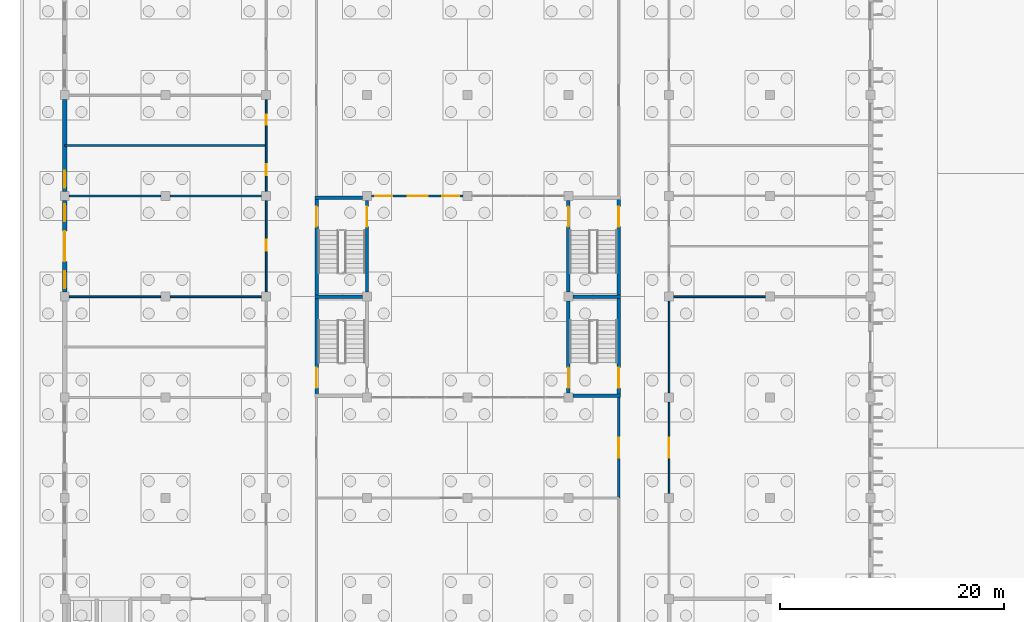
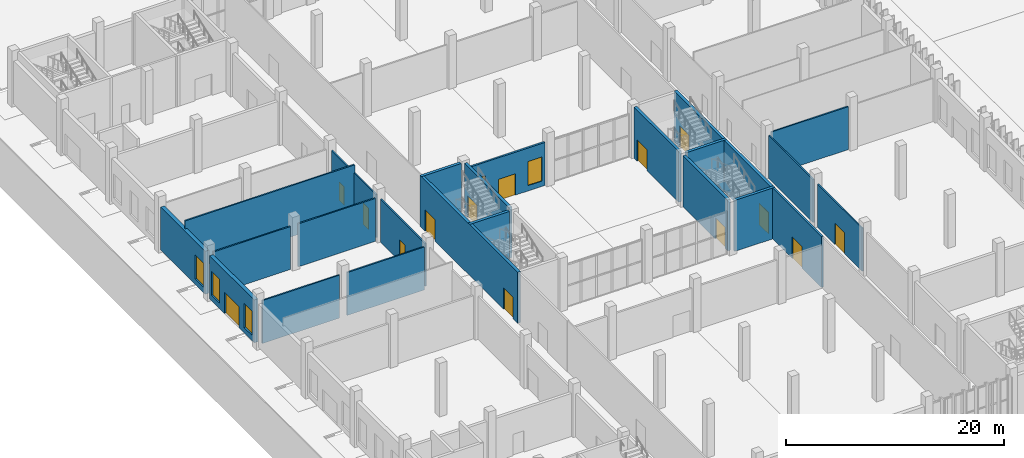
# One storey, part 79 of 198: 23 walls, 14 doors, 5 windows, 19 openings.
"""IFC4 building model written with IfcOpenShell, lengths in metres."""

from ifc_helpers import new_model, si_unit, direction, frame, frame_2d, origin, place, context, subcontext, project, spatial, rectangle, extrude, material, layer, layer_set, type_object, element, fill, save


model = new_model("IFC4")

# Units and contexts
model_context = context("Model", 3, precision=1e-05, world=origin(), true_north=direction((0.0, 1.0)))
body_context = subcontext(model_context, "Body", "Model", "MODEL_VIEW")
ifc_project = project(units=[si_unit("LENGTHUNIT", "METRE"), si_unit("AREAUNIT", "SQUARE_METRE"), si_unit("VOLUMEUNIT", "CUBIC_METRE"), si_unit("PLANEANGLEUNIT", "RADIAN"), si_unit("MASSUNIT", "GRAM", prefix="KILO")], contexts=[model_context])

# Site, building, storey
site_placement = place(None, origin())
site = spatial("IfcSite", under=ifc_project, at=site_placement, CompositionType="ELEMENT")
building_placement = place(site_placement, origin())
building = spatial("IfcBuilding", under=site, at=building_placement, Name="Opaline Strait Convention Centre", CompositionType="ELEMENT")
storey_placement = place(building_placement, origin())
storey = spatial("IfcBuildingStorey", under=building, at=storey_placement, Name="L00", CompositionType="ELEMENT", Elevation=0.0)

# Wall, opening, door
ifc_material_1 = material(Name="Gypsum board on metal studs with mineral wool")
ifc_layer_1 = layer(ifc_material_1, 0.199951171875)
ifc_layer_set_1 = layer_set([ifc_layer_1], Name="Gypsum board on metal studs with mineral wool")
wall_type_1 = type_object("IfcWallType", Name="Fire partition 200", PredefinedType="PARTITIONING", material=ifc_layer_set_1)
wall_1_placement = place(storey_placement, frame((58.5, 36.0, 0.0), z_axis=(0.0, 0.0, 1.0), x_axis=(0.0, 1.0, 0.0)))
wall_1 = element("IfcWall", 1, at=wall_1_placement, inside=storey, type_object=wall_type_1, Name="L00 partition", PredefinedType="PARTITIONING", context=body_context, shape_type="SweptSolid", body=[
    extrude(rectangle(XDim=9.0, YDim=0.199951171875, at=frame_2d((4.5, 0.0))), origin(), (0.0, 0.0, 1.0), 5.719970703125),
])
opening_1_placement = place(wall_1_placement, frame((3.60009765625, 0.0, 0.0)))
opening_1 = element("IfcOpeningElement", 2, at=opening_1_placement, cuts=wall_1, Name="Opening R0-034", PredefinedType="OPENING", context=body_context, shape_type="SweptSolid", body=[
    extrude(rectangle(XDim=1.800048828125, YDim=2.39990234375, at=frame_2d((0.89990234375, 1.199951171875))), frame((0.0, 0.10986328125, 0.0), z_axis=(0.0, -1.0, 0.0), x_axis=(1.0, 0.0, 0.0)), (0.0, 0.0, 1.0), 0.219970703125),
])
ifc_material_2 = material(Name="Stainless steel 304 door leaves", Category="steel")
door_type_1 = type_object("IfcDoorType", Name="Kitchen door 1800x2400 double FD90", OperationType="DOUBLE_DOOR_SINGLE_SWING", PredefinedType="DOOR", material=ifc_material_2)
door_1_placement = place(opening_1_placement, frame((1.800048828125, 0.0, 0.0), z_axis=(0.0, 0.0, 1.0), x_axis=(-1.0, 0.0, 0.0)))
door_1 = element("IfcDoor", 3, at=door_1_placement, inside=storey, type_object=door_type_1, Name="Open Kitchen door R0-034", ObjectType="RD4", OperationType="DOUBLE_DOOR_SINGLE_SWING", OverallHeight=2.39990234375, OverallWidth=1.800048828125, PredefinedType="DOOR", context=body_context, shape_type="SweptSolid", body=[
    extrude(rectangle(XDim=1.800048828125, YDim=2.39990234375, at=frame_2d((0.89990234375, 1.199951171875))), frame((0.0, 0.02490234375, 0.0), z_axis=(0.0, -1.0, 0.0), x_axis=(1.0, 0.0, 0.0)), (0.0, 0.0, 1.0), 0.050048828125),
])
fill(opening_1, door_1)

# Walls
ifc_layer_2 = layer(ifc_material_1, 0.14990234375)
ifc_layer_set_2 = layer_set([ifc_layer_2], Name="Gypsum board on metal studs with mineral wool")
wall_type_2 = type_object("IfcWallType", Name="Partition 150", PredefinedType="PARTITIONING", material=ifc_layer_set_2)
for number, where, z_axis, x_axis, name in (
    (4, (9.39990234375, 54.0, 0.0), (0.0, 0.0, 1.0), (1.0, 0.0, 0.0), "L00 partition"),
    (5, (18.39990234375, 54.0, 0.0), (0.0, 0.0, 1.0), (1.0, 0.0, 0.0), "L00 partition"),
    (6, (63.39990234375, 54.0, 0.0), (0.0, 0.0, 1.0), (1.0, 0.0, 0.0), "L00 partition"),
    (7, (9.39990234375, 63.0, 0.0), (0.0, 0.0, 1.0), (1.0, 0.0, 0.0), "L00 partition"),
    (8, (18.39990234375, 63.0, 0.0), (0.0, 0.0, 1.0), (1.0, 0.0, 0.0), "L00 partition"),
):
    element("IfcWall", number, at=place(storey_placement, frame(where, z_axis=z_axis, x_axis=x_axis)), inside=storey, type_object=wall_type_2, Name=name, PredefinedType="PARTITIONING", context=body_context, shape_type="SweptSolid", body=[
        extrude(rectangle(XDim=8.2001953125, YDim=0.14990234375, at=frame_2d((4.10009765625, 0.0))), origin(), (0.0, 0.0, 1.0), 4.820068359375),
    ])
wall_2_placement = place(storey_placement, frame((9.0, 67.5, 0.0), z_axis=(0.0, 0.0, 1.0), x_axis=(1.0, 0.0, 0.0)))
element("IfcWall", 9, at=wall_2_placement, inside=storey, type_object=wall_type_2, Name="L00 partition", PredefinedType="PARTITIONING", context=body_context, shape_type="SweptSolid", body=[
    extrude(rectangle(XDim=18.0, YDim=0.14990234375, at=frame_2d((9.0, 0.0))), origin(), (0.0, 0.0, 1.0), 5.719970703125),
])

# Wall, opening, door
wall_3_placement = place(storey_placement, frame((27.0, 54.39990234375, 0.0), z_axis=(0.0, 0.0, 1.0), x_axis=(0.0, 1.0, 0.0)))
wall_3 = element("IfcWall", 10, at=wall_3_placement, inside=storey, type_object=wall_type_2, Name="L00 partition", PredefinedType="PARTITIONING", context=body_context, shape_type="SweptSolid", body=[
    extrude(rectangle(XDim=8.2001953125, YDim=0.14990234375, at=frame_2d((4.10009765625, 0.0))), origin(), (0.0, 0.0, 1.0), 4.820068359375),
])
opening_2_placement = place(wall_3_placement, frame((3.699951171875, 0.0, 0.0)))
opening_2 = element("IfcOpeningElement", 11, at=opening_2_placement, cuts=wall_3, Name="Opening R0-044", PredefinedType="OPENING", context=body_context, shape_type="SweptSolid", body=[
    extrude(rectangle(XDim=1.0, YDim=2.39990234375, at=frame_2d((0.5, 1.199951171875))), frame((0.0, 0.0849609375, 0.0), z_axis=(0.0, -1.0, 0.0), x_axis=(1.0, 0.0, 0.0)), (0.0, 0.0, 1.0), 0.169921875),
])
ifc_material_3 = material(Name="Timber door leaf in steel frame", Category="steel")
door_type_2 = type_object("IfcDoorType", Name="Door 1000x2400 single FD30", OperationType="SINGLE_SWING_LEFT", PredefinedType="DOOR", material=ifc_material_3)
door_2_placement = place(opening_2_placement, frame((1.0, 0.0, 0.0), z_axis=(0.0, 0.0, 1.0), x_axis=(-1.0, 0.0, 0.0)))
door_2 = element("IfcDoor", 12, at=door_2_placement, inside=storey, type_object=door_type_2, Name="Staff Room door R0-044", ObjectType="RD1", OperationType="SINGLE_SWING_LEFT", OverallHeight=2.39990234375, OverallWidth=1.0, PredefinedType="DOOR", context=body_context, shape_type="SweptSolid", body=[
    extrude(rectangle(XDim=1.0, YDim=2.39990234375, at=frame_2d((0.5, 1.199951171875))), frame((0.0, 0.02490234375, 0.0), z_axis=(0.0, -1.0, 0.0), x_axis=(1.0, 0.0, 0.0)), (0.0, 0.0, 1.0), 0.050048828125),
])
fill(opening_2, door_2)

# Wall, openings, doors
wall_4_placement = place(storey_placement, frame((27.0, 63.39990234375, 0.0), z_axis=(0.0, 0.0, 1.0), x_axis=(0.0, 1.0, 0.0)))
wall_4 = element("IfcWall", 13, at=wall_4_placement, inside=storey, type_object=wall_type_2, Name="L00 partition", PredefinedType="PARTITIONING", context=body_context, shape_type="SweptSolid", body=[
    extrude(rectangle(XDim=8.2001953125, YDim=0.14990234375, at=frame_2d((4.10009765625, 0.0))), origin(), (0.0, 0.0, 1.0), 4.820068359375),
])
opening_3_placement = place(wall_4_placement, frame((1.449951171875, 0.0, 0.0)))
opening_3 = element("IfcOpeningElement", 14, at=opening_3_placement, cuts=wall_4, Name="Opening R0-045", PredefinedType="OPENING", context=body_context, shape_type="SweptSolid", body=[
    extrude(rectangle(XDim=1.0, YDim=2.39990234375, at=frame_2d((0.5, 1.199951171875))), frame((0.0, 0.0849609375, 0.0), z_axis=(0.0, -1.0, 0.0), x_axis=(1.0, 0.0, 0.0)), (0.0, 0.0, 1.0), 0.169921875),
])
opening_4_placement = place(wall_4_placement, frame((5.949951171875, 0.0, 0.0)))
opening_4 = element("IfcOpeningElement", 15, at=opening_4_placement, cuts=wall_4, Name="Opening R0-046", PredefinedType="OPENING", context=body_context, shape_type="SweptSolid", body=[
    extrude(rectangle(XDim=0.89990234375, YDim=2.10009765625, at=frame_2d((0.449951171875, 1.050048828125))), frame((0.0, 0.0849609375, 0.0), z_axis=(0.0, -1.0, 0.0), x_axis=(1.0, 0.0, 0.0)), (0.0, 0.0, 1.0), 0.169921875),
])
door_3_placement = place(opening_3_placement, origin())
door_3 = element("IfcDoor", 16, at=door_3_placement, inside=storey, type_object=door_type_2, Name="Waste Room door R0-045", ObjectType="RD1", OperationType="SINGLE_SWING_LEFT", OverallHeight=2.39990234375, OverallWidth=1.0, PredefinedType="DOOR", context=body_context, shape_type="SweptSolid", body=[
    extrude(rectangle(XDim=1.0, YDim=2.39990234375, at=frame_2d((0.5, 1.199951171875))), frame((0.0, 0.02490234375, 0.0), z_axis=(0.0, -1.0, 0.0), x_axis=(1.0, 0.0, 0.0)), (0.0, 0.0, 1.0), 0.050048828125),
])
fill(opening_3, door_3)
door_type_3 = type_object("IfcDoorType", Name="Toilet door 900x2100 FD30", OperationType="SINGLE_SWING_LEFT", PredefinedType="DOOR", material=ifc_material_3)
door_4_placement = place(opening_4_placement, origin())
door_4 = element("IfcDoor", 17, at=door_4_placement, inside=storey, type_object=door_type_3, Name="Staff Toilets door R0-046", ObjectType="RD11", OperationType="SINGLE_SWING_LEFT", OverallHeight=2.10009765625, OverallWidth=0.89990234375, PredefinedType="DOOR", context=body_context, shape_type="SweptSolid", body=[
    extrude(rectangle(XDim=0.89990234375, YDim=2.10009765625, at=frame_2d((0.449951171875, 1.050048828125))), frame((0.0, 0.02490234375, 0.0), z_axis=(0.0, -1.0, 0.0), x_axis=(1.0, 0.0, 0.0)), (0.0, 0.0, 1.0), 0.050048828125),
])
fill(opening_4, door_4)

# Wall, opening, door
wall_5_placement = place(storey_placement, frame((63.0, 36.39990234375, 0.0), z_axis=(0.0, 0.0, 1.0), x_axis=(0.0, 1.0, 0.0)))
wall_5 = element("IfcWall", 18, at=wall_5_placement, inside=storey, type_object=wall_type_2, Name="L00 partition", PredefinedType="PARTITIONING", context=body_context, shape_type="SweptSolid", body=[
    extrude(rectangle(XDim=8.2001953125, YDim=0.14990234375, at=frame_2d((4.10009765625, 0.0))), origin(), (0.0, 0.0, 1.0), 4.820068359375),
])
opening_5_placement = place(wall_5_placement, frame((3.199951171875, 0.0, 0.0)))
opening_5 = element("IfcOpeningElement", 19, at=opening_5_placement, cuts=wall_5, Name="Opening R0-048", PredefinedType="OPENING", context=body_context, shape_type="SweptSolid", body=[
    extrude(rectangle(XDim=1.800048828125, YDim=2.39990234375, at=frame_2d((0.89990234375, 1.199951171875))), frame((0.0, 0.0849609375, 0.0), z_axis=(0.0, -1.0, 0.0), x_axis=(1.0, 0.0, 0.0)), (0.0, 0.0, 1.0), 0.169921875),
])
ifc_material_4 = material(Name="Timber door leaves in steel frame", Category="steel")
door_type_4 = type_object("IfcDoorType", Name="Door 1800x2400 double FD30", OperationType="DOUBLE_DOOR_SINGLE_SWING", PredefinedType="DOOR", material=ifc_material_4)
door_5_placement = place(opening_5_placement, origin())
door_5 = element("IfcDoor", 20, at=door_5_placement, inside=storey, type_object=door_type_4, Name="Seafood Restaurant door R0-048", ObjectType="RD2", OperationType="DOUBLE_DOOR_SINGLE_SWING", OverallHeight=2.39990234375, OverallWidth=1.800048828125, PredefinedType="DOOR", context=body_context, shape_type="SweptSolid", body=[
    extrude(rectangle(XDim=1.800048828125, YDim=2.39990234375, at=frame_2d((0.89990234375, 1.199951171875))), frame((0.0, 0.02490234375, 0.0), z_axis=(0.0, -1.0, 0.0), x_axis=(1.0, 0.0, 0.0)), (0.0, 0.0, 1.0), 0.050048828125),
])
fill(opening_5, door_5)

# Wall
wall_6_placement = place(storey_placement, frame((63.0, 45.39990234375, 0.0), z_axis=(0.0, 0.0, 1.0), x_axis=(0.0, 1.0, 0.0)))
element("IfcWall", 21, at=wall_6_placement, inside=storey, type_object=wall_type_2, Name="L00 partition", PredefinedType="PARTITIONING", context=body_context, shape_type="SweptSolid", body=[
    extrude(rectangle(XDim=8.2001953125, YDim=0.14990234375, at=frame_2d((4.10009765625, 0.0))), origin(), (0.0, 0.0, 1.0), 4.820068359375),
])

# Wall, openings, door, windows
ifc_material_5 = material(Name="Concrete C40", Category="concrete")
ifc_layer_3 = layer(ifc_material_5, 0.199951171875)
ifc_layer_set_3 = layer_set([ifc_layer_3], Name="Concrete C40")
wall_type_3 = type_object("IfcWallType", Name="RC wall 200 C40", PredefinedType="SOLIDWALL", material=ifc_layer_set_3)
wall_7_placement = place(storey_placement, frame((36.39990234375, 63.0, 0.0), z_axis=(0.0, 0.0, 1.0), x_axis=(1.0, 0.0, 0.0)))
wall_7 = element("IfcWall", 22, at=wall_7_placement, inside=storey, type_object=wall_type_3, Name="L00 court wall Nc 1", PredefinedType="SOLIDWALL", context=body_context, shape_type="SweptSolid", body=[
    extrude(rectangle(XDim=8.2001953125, YDim=0.199951171875, at=frame_2d((4.10009765625, 0.0))), origin(), (0.0, 0.0, 1.0), 4.820068359375),
])
opening_6_placement = place(wall_7_placement, frame((0.35009765625, 0.0, 0.60009765625)))
opening_6 = element("IfcOpeningElement", 23, at=opening_6_placement, cuts=wall_7, Name="Opening RWN3", PredefinedType="OPENING", context=body_context, shape_type="SweptSolid", body=[
    extrude(rectangle(XDim=1.5, YDim=2.699951171875, at=frame_2d((0.75, 1.35009765625))), frame((0.0, 0.10986328125, 0.0), z_axis=(0.0, -1.0, 0.0), x_axis=(1.0, 0.0, 0.0)), (0.0, 0.0, 1.0), 0.219970703125),
])
opening_7_placement = place(wall_7_placement, frame((6.35009765625, 0.0, 0.60009765625)))
opening_7 = element("IfcOpeningElement", 24, at=opening_7_placement, cuts=wall_7, Name="Opening RWN3", PredefinedType="OPENING", context=body_context, shape_type="SweptSolid", body=[
    extrude(rectangle(XDim=1.5, YDim=2.699951171875, at=frame_2d((0.75, 1.35009765625))), frame((0.0, 0.10986328125, 0.0), z_axis=(0.0, -1.0, 0.0), x_axis=(1.0, 0.0, 0.0)), (0.0, 0.0, 1.0), 0.219970703125),
])
opening_8_placement = place(wall_7_placement, frame((3.25, 0.0, 0.0)))
opening_8 = element("IfcOpeningElement", 25, at=opening_8_placement, cuts=wall_7, Name="Opening R0-069", PredefinedType="OPENING", context=body_context, shape_type="SweptSolid", body=[
    extrude(rectangle(XDim=1.800048828125, YDim=2.39990234375, at=frame_2d((0.89990234375, 1.199951171875))), frame((0.0, 0.10986328125, 0.0), z_axis=(0.0, -1.0, 0.0), x_axis=(1.0, 0.0, 0.0)), (0.0, 0.0, 1.0), 0.219970703125),
])
ifc_material_6 = material(Name="Aluminium framed double glazing", Category="aluminium")
door_type_5 = type_object("IfcDoorType", Name="Garden door 1800x2400 glazed pair", OperationType="DOUBLE_DOOR_SINGLE_SWING", PredefinedType="DOOR", material=ifc_material_6)
door_6_placement = place(opening_8_placement, origin())
door_6 = element("IfcDoor", 26, at=door_6_placement, inside=storey, type_object=door_type_5, Name="Garden door R0-069", ObjectType="RD12", OperationType="DOUBLE_DOOR_SINGLE_SWING", OverallHeight=2.39990234375, OverallWidth=1.800048828125, PredefinedType="DOOR", context=body_context, shape_type="SweptSolid", body=[
    extrude(rectangle(XDim=1.800048828125, YDim=2.39990234375, at=frame_2d((0.89990234375, 1.199951171875))), frame((0.0, 0.02490234375, 0.0), z_axis=(0.0, -1.0, 0.0), x_axis=(1.0, 0.0, 0.0)), (0.0, 0.0, 1.0), 0.050048828125),
])
fill(opening_8, door_6)
window_type = type_object("IfcWindowType", Name="Window 1500x2700 sill 600", PartitioningType="SINGLE_PANEL", PredefinedType="WINDOW", material=ifc_material_6)
window_1_placement = place(opening_6_placement, origin())
window_1 = element("IfcWindow", 27, at=window_1_placement, inside=storey, type_object=window_type, Name="Window L00-Nc1-W1", OverallHeight=2.699951171875, OverallWidth=1.5, PartitioningType="SINGLE_PANEL", PredefinedType="WINDOW", context=body_context, shape_type="SweptSolid", body=[
    extrude(rectangle(XDim=1.5, YDim=2.699951171875, at=frame_2d((0.75, 1.35009765625))), frame((0.0, 0.030029296875, 0.0), z_axis=(0.0, -1.0, 0.0), x_axis=(1.0, 0.0, 0.0)), (0.0, 0.0, 1.0), 0.06005859375),
])
fill(opening_6, window_1)
window_2_placement = place(opening_7_placement, origin())
window_2 = element("IfcWindow", 28, at=window_2_placement, inside=storey, type_object=window_type, Name="Window L00-Nc1-W2", OverallHeight=2.699951171875, OverallWidth=1.5, PartitioningType="SINGLE_PANEL", PredefinedType="WINDOW", context=body_context, shape_type="SweptSolid", body=[
    extrude(rectangle(XDim=1.5, YDim=2.699951171875, at=frame_2d((0.75, 1.35009765625))), frame((0.0, 0.030029296875, 0.0), z_axis=(0.0, -1.0, 0.0), x_axis=(1.0, 0.0, 0.0)), (0.0, 0.0, 1.0), 0.06005859375),
])
fill(opening_7, window_2)

# Wall, openings, doors
ifc_layer_4 = layer(ifc_material_5, 0.300048828125)
ifc_layer_set_4 = layer_set([ifc_layer_4], Name="Concrete C40")
wall_type_4 = type_object("IfcWallType", Name="RC wall 300 C40", PredefinedType="SOLIDWALL", material=ifc_layer_set_4)
wall_8_placement = place(storey_placement, frame((58.5, 45.0, 0.0), z_axis=(0.0, 0.0, 1.0), x_axis=(0.0, 1.0, 0.0)))
wall_8 = element("IfcWall", 29, at=wall_8_placement, inside=storey, type_object=wall_type_4, Name="ME core SPINE wall", PredefinedType="SOLIDWALL", context=body_context, shape_type="SweptSolid", body=[
    extrude(rectangle(XDim=18.0, YDim=0.300048828125, at=frame_2d((9.0, 0.0))), origin(), (0.0, 0.0, 1.0), 5.719970703125),
])
opening_9_placement = place(wall_8_placement, frame((0.85009765625, 0.0, 0.0)))
opening_9 = element("IfcOpeningElement", 30, at=opening_9_placement, cuts=wall_8, Name="Opening R0-023", PredefinedType="OPENING", context=body_context, shape_type="SweptSolid", body=[
    extrude(rectangle(XDim=1.800048828125, YDim=2.39990234375, at=frame_2d((0.89990234375, 1.199951171875))), frame((0.0, 0.159912109375, 0.0), z_axis=(0.0, -1.0, 0.0), x_axis=(1.0, 0.0, 0.0)), (0.0, 0.0, 1.0), 0.320068359375),
])
opening_10_placement = place(wall_8_placement, frame((15.25, 0.0, 0.0)))
opening_10 = element("IfcOpeningElement", 31, at=opening_10_placement, cuts=wall_8, Name="Opening R0-025", PredefinedType="OPENING", context=body_context, shape_type="SweptSolid", body=[
    extrude(rectangle(XDim=1.800048828125, YDim=2.39990234375, at=frame_2d((0.89990234375, 1.199951171875))), frame((0.0, 0.159912109375, 0.0), z_axis=(0.0, -1.0, 0.0), x_axis=(1.0, 0.0, 0.0)), (0.0, 0.0, 1.0), 0.320068359375),
])
door_type_6 = type_object("IfcDoorType", Name="Stair door 1800x2400 double FD60", OperationType="DOUBLE_DOOR_SINGLE_SWING", PredefinedType="DOOR", material=ifc_material_4)
door_7_placement = place(opening_9_placement, frame((1.800048828125, 0.0, 0.0), z_axis=(0.0, 0.0, 1.0), x_axis=(-1.0, 0.0, 0.0)))
door_7 = element("IfcDoor", 32, at=door_7_placement, inside=storey, type_object=door_type_6, Name="Stair door ME R0-023", ObjectType="RD7", OperationType="DOUBLE_DOOR_SINGLE_SWING", OverallHeight=2.39990234375, OverallWidth=1.800048828125, PredefinedType="DOOR", context=body_context, shape_type="SweptSolid", body=[
    extrude(rectangle(XDim=1.800048828125, YDim=2.39990234375, at=frame_2d((0.89990234375, 1.199951171875))), frame((0.0, 0.02490234375, 0.0), z_axis=(0.0, -1.0, 0.0), x_axis=(1.0, 0.0, 0.0)), (0.0, 0.0, 1.0), 0.050048828125),
])
fill(opening_9, door_7)
door_8_placement = place(opening_10_placement, frame((1.800048828125, 0.0, 0.0), z_axis=(0.0, 0.0, 1.0), x_axis=(-1.0, 0.0, 0.0)))
door_8 = element("IfcDoor", 33, at=door_8_placement, inside=storey, type_object=door_type_6, Name="Stair door ME R0-025", ObjectType="RD7", OperationType="DOUBLE_DOOR_SINGLE_SWING", OverallHeight=2.39990234375, OverallWidth=1.800048828125, PredefinedType="DOOR", context=body_context, shape_type="SweptSolid", body=[
    extrude(rectangle(XDim=1.800048828125, YDim=2.39990234375, at=frame_2d((0.89990234375, 1.199951171875))), frame((0.0, 0.02490234375, 0.0), z_axis=(0.0, -1.0, 0.0), x_axis=(1.0, 0.0, 0.0)), (0.0, 0.0, 1.0), 0.050048828125),
])
fill(opening_10, door_8)

# Wall, opening, door
wall_9_placement = place(storey_placement, frame((54.0, 45.39990234375, 0.0), z_axis=(0.0, 0.0, 1.0), x_axis=(0.0, 1.0, 0.0)))
wall_9 = element("IfcWall", 34, at=wall_9_placement, inside=storey, type_object=wall_type_4, Name="ME core COURT wall", PredefinedType="SOLIDWALL", context=body_context, shape_type="SweptSolid", body=[
    extrude(rectangle(XDim=8.2001953125, YDim=0.300048828125, at=frame_2d((4.10009765625, 0.0))), origin(), (0.0, 0.0, 1.0), 5.719970703125),
])
opening_11_placement = place(wall_9_placement, frame((0.449951171875, 0.0, 0.0)))
opening_11 = element("IfcOpeningElement", 35, at=opening_11_placement, cuts=wall_9, Name="Opening R0-024", PredefinedType="OPENING", context=body_context, shape_type="SweptSolid", body=[
    extrude(rectangle(XDim=1.800048828125, YDim=2.39990234375, at=frame_2d((0.89990234375, 1.199951171875))), frame((0.0, 0.159912109375, 0.0), z_axis=(0.0, -1.0, 0.0), x_axis=(1.0, 0.0, 0.0)), (0.0, 0.0, 1.0), 0.320068359375),
])
door_9_placement = place(opening_11_placement, origin())
door_9 = element("IfcDoor", 36, at=door_9_placement, inside=storey, type_object=door_type_6, Name="Stair exit door ME R0-024", ObjectType="RD7", OperationType="DOUBLE_DOOR_SINGLE_SWING", OverallHeight=2.39990234375, OverallWidth=1.800048828125, PredefinedType="DOOR", context=body_context, shape_type="SweptSolid", body=[
    extrude(rectangle(XDim=1.800048828125, YDim=2.39990234375, at=frame_2d((0.89990234375, 1.199951171875))), frame((0.0, 0.02490234375, 0.0), z_axis=(0.0, -1.0, 0.0), x_axis=(1.0, 0.0, 0.0)), (0.0, 0.0, 1.0), 0.050048828125),
])
fill(opening_11, door_9)

wall_10_placement = place(storey_placement, frame((54.0, 54.39990234375, 0.0), z_axis=(0.0, 0.0, 1.0), x_axis=(0.0, 1.0, 0.0)))
wall_10 = element("IfcWall", 37, at=wall_10_placement, inside=storey, type_object=wall_type_4, Name="ME core COURT wall", PredefinedType="SOLIDWALL", context=body_context, shape_type="SweptSolid", body=[
    extrude(rectangle(XDim=8.2001953125, YDim=0.300048828125, at=frame_2d((4.10009765625, 0.0))), origin(), (0.0, 0.0, 1.0), 5.719970703125),
])
opening_12_placement = place(wall_10_placement, frame((5.85009765625, 0.0, 0.0)))
opening_12 = element("IfcOpeningElement", 38, at=opening_12_placement, cuts=wall_10, Name="Opening R0-026", PredefinedType="OPENING", context=body_context, shape_type="SweptSolid", body=[
    extrude(rectangle(XDim=1.800048828125, YDim=2.39990234375, at=frame_2d((0.89990234375, 1.199951171875))), frame((0.0, 0.159912109375, 0.0), z_axis=(0.0, -1.0, 0.0), x_axis=(1.0, 0.0, 0.0)), (0.0, 0.0, 1.0), 0.320068359375),
])
door_10_placement = place(opening_12_placement, origin())
door_10 = element("IfcDoor", 39, at=door_10_placement, inside=storey, type_object=door_type_6, Name="Stair exit door ME R0-026", ObjectType="RD7", OperationType="DOUBLE_DOOR_SINGLE_SWING", OverallHeight=2.39990234375, OverallWidth=1.800048828125, PredefinedType="DOOR", context=body_context, shape_type="SweptSolid", body=[
    extrude(rectangle(XDim=1.800048828125, YDim=2.39990234375, at=frame_2d((0.89990234375, 1.199951171875))), frame((0.0, 0.02490234375, 0.0), z_axis=(0.0, -1.0, 0.0), x_axis=(1.0, 0.0, 0.0)), (0.0, 0.0, 1.0), 0.050048828125),
])
fill(opening_12, door_10)

# Walls
for number, where, z_axis, x_axis, name in (
    (40, (54.39990234375, 45.14990234375, 0.0), (0.0, 0.0, 1.0), (1.0, 0.0, 0.0), "ME core S wall"),
    (41, (54.39990234375, 54.0, 0.0), (0.0, 0.0, 1.0), (1.0, 0.0, 0.0), "ME core MID wall"),
):
    element("IfcWall", number, at=place(storey_placement, frame(where, z_axis=z_axis, x_axis=x_axis)), inside=storey, type_object=wall_type_4, Name=name, PredefinedType="SOLIDWALL", context=body_context, shape_type="SweptSolid", body=[
        extrude(rectangle(XDim=4.25, YDim=0.300048828125, at=frame_2d((2.125, 0.0))), origin(), (0.0, 0.0, 1.0), 5.719970703125),
    ])

# Wall, openings, doors
wall_11_placement = place(storey_placement, frame((31.5, 45.0, 0.0), z_axis=(0.0, 0.0, 1.0), x_axis=(0.0, 1.0, 0.0)))
wall_11 = element("IfcWall", 42, at=wall_11_placement, inside=storey, type_object=wall_type_4, Name="MW core SPINE wall", PredefinedType="SOLIDWALL", context=body_context, shape_type="SweptSolid", body=[
    extrude(rectangle(XDim=18.0, YDim=0.300048828125, at=frame_2d((9.0, 0.0))), origin(), (0.0, 0.0, 1.0), 5.719970703125),
])
opening_13_placement = place(wall_11_placement, frame((0.85009765625, 0.0, 0.0)))
opening_13 = element("IfcOpeningElement", 43, at=opening_13_placement, cuts=wall_11, Name="Opening R0-027", PredefinedType="OPENING", context=body_context, shape_type="SweptSolid", body=[
    extrude(rectangle(XDim=1.800048828125, YDim=2.39990234375, at=frame_2d((0.89990234375, 1.199951171875))), frame((0.0, 0.159912109375, 0.0), z_axis=(0.0, -1.0, 0.0), x_axis=(1.0, 0.0, 0.0)), (0.0, 0.0, 1.0), 0.320068359375),
])
opening_14_placement = place(wall_11_placement, frame((15.25, 0.0, 0.0)))
opening_14 = element("IfcOpeningElement", 44, at=opening_14_placement, cuts=wall_11, Name="Opening R0-029", PredefinedType="OPENING", context=body_context, shape_type="SweptSolid", body=[
    extrude(rectangle(XDim=1.800048828125, YDim=2.39990234375, at=frame_2d((0.89990234375, 1.199951171875))), frame((0.0, 0.159912109375, 0.0), z_axis=(0.0, -1.0, 0.0), x_axis=(1.0, 0.0, 0.0)), (0.0, 0.0, 1.0), 0.320068359375),
])
door_11_placement = place(opening_13_placement, origin())
door_11 = element("IfcDoor", 45, at=door_11_placement, inside=storey, type_object=door_type_6, Name="Stair door MW R0-027", ObjectType="RD7", OperationType="DOUBLE_DOOR_SINGLE_SWING", OverallHeight=2.39990234375, OverallWidth=1.800048828125, PredefinedType="DOOR", context=body_context, shape_type="SweptSolid", body=[
    extrude(rectangle(XDim=1.800048828125, YDim=2.39990234375, at=frame_2d((0.89990234375, 1.199951171875))), frame((0.0, 0.02490234375, 0.0), z_axis=(0.0, -1.0, 0.0), x_axis=(1.0, 0.0, 0.0)), (0.0, 0.0, 1.0), 0.050048828125),
])
fill(opening_13, door_11)
door_12_placement = place(opening_14_placement, origin())
door_12 = element("IfcDoor", 46, at=door_12_placement, inside=storey, type_object=door_type_6, Name="Stair door MW R0-029", ObjectType="RD7", OperationType="DOUBLE_DOOR_SINGLE_SWING", OverallHeight=2.39990234375, OverallWidth=1.800048828125, PredefinedType="DOOR", context=body_context, shape_type="SweptSolid", body=[
    extrude(rectangle(XDim=1.800048828125, YDim=2.39990234375, at=frame_2d((0.89990234375, 1.199951171875))), frame((0.0, 0.02490234375, 0.0), z_axis=(0.0, -1.0, 0.0), x_axis=(1.0, 0.0, 0.0)), (0.0, 0.0, 1.0), 0.050048828125),
])
fill(opening_14, door_12)

# Wall, opening, door
wall_12_placement = place(storey_placement, frame((36.0, 54.39990234375, 0.0), z_axis=(0.0, 0.0, 1.0), x_axis=(0.0, 1.0, 0.0)))
wall_12 = element("IfcWall", 47, at=wall_12_placement, inside=storey, type_object=wall_type_4, Name="MW core COURT wall", PredefinedType="SOLIDWALL", context=body_context, shape_type="SweptSolid", body=[
    extrude(rectangle(XDim=8.2001953125, YDim=0.300048828125, at=frame_2d((4.10009765625, 0.0))), origin(), (0.0, 0.0, 1.0), 5.719970703125),
])
opening_15_placement = place(wall_12_placement, frame((5.85009765625, 0.0, 0.0)))
opening_15 = element("IfcOpeningElement", 48, at=opening_15_placement, cuts=wall_12, Name="Opening R0-030", PredefinedType="OPENING", context=body_context, shape_type="SweptSolid", body=[
    extrude(rectangle(XDim=1.800048828125, YDim=2.39990234375, at=frame_2d((0.89990234375, 1.199951171875))), frame((0.0, 0.159912109375, 0.0), z_axis=(0.0, -1.0, 0.0), x_axis=(1.0, 0.0, 0.0)), (0.0, 0.0, 1.0), 0.320068359375),
])
door_13_placement = place(opening_15_placement, frame((1.800048828125, 0.0, 0.0), z_axis=(0.0, 0.0, 1.0), x_axis=(-1.0, 0.0, 0.0)))
door_13 = element("IfcDoor", 49, at=door_13_placement, inside=storey, type_object=door_type_6, Name="Stair exit door MW R0-030", ObjectType="RD7", OperationType="DOUBLE_DOOR_SINGLE_SWING", OverallHeight=2.39990234375, OverallWidth=1.800048828125, PredefinedType="DOOR", context=body_context, shape_type="SweptSolid", body=[
    extrude(rectangle(XDim=1.800048828125, YDim=2.39990234375, at=frame_2d((0.89990234375, 1.199951171875))), frame((0.0, 0.02490234375, 0.0), z_axis=(0.0, -1.0, 0.0), x_axis=(1.0, 0.0, 0.0)), (0.0, 0.0, 1.0), 0.050048828125),
])
fill(opening_15, door_13)

# Walls
for number, where, z_axis, x_axis, name in (
    (50, (31.35009765625, 54.0, 0.0), (0.0, 0.0, 1.0), (1.0, 0.0, 0.0), "MW core MID wall"),
    (51, (31.35009765625, 62.85009765625, 0.0), (0.0, 0.0, 1.0), (1.0, 0.0, 0.0), "MW core N wall"),
):
    element("IfcWall", number, at=place(storey_placement, frame(where, z_axis=z_axis, x_axis=x_axis)), inside=storey, type_object=wall_type_4, Name=name, PredefinedType="SOLIDWALL", context=body_context, shape_type="SweptSolid", body=[
        extrude(rectangle(XDim=4.25, YDim=0.300048828125, at=frame_2d((2.125, 0.0))), origin(), (0.0, 0.0, 1.0), 5.719970703125),
    ])

# Wall, openings, door, windows
ifc_layer_5 = layer(ifc_material_5, 0.320068359375)
ifc_material_7 = material(Name="Mineral wool insulation")
ifc_layer_6 = layer(ifc_material_7, 0.050048828125)
ifc_material_8 = material(Name="Gypsum board lining")
ifc_layer_7 = layer(ifc_material_8, 0.030029296875)
ifc_layer_set_5 = layer_set([ifc_layer_5, ifc_layer_6, ifc_layer_7], Name="Concrete C40, Mineral wool insulation, Gypsum board lining")
wall_type_5 = type_object("IfcWallType", Name="RC wall 400 C40", PredefinedType="SOLIDWALL", material=ifc_layer_set_5)
wall_13_placement = place(storey_placement, frame((9.0, 54.39990234375, 0.0), z_axis=(0.0, 0.0, 1.0), x_axis=(0.0, 1.0, 0.0)))
wall_13 = element("IfcWall", 52, at=wall_13_placement, inside=storey, type_object=wall_type_5, Name="L00 W external wall 6", PredefinedType="SOLIDWALL", context=body_context, shape_type="SweptSolid", body=[
    extrude(rectangle(XDim=8.2001953125, YDim=0.39990234375, at=frame_2d((4.10009765625, 0.0))), origin(), (0.0, 0.0, 1.0), 4.820068359375),
])
opening_16_placement = place(wall_13_placement, frame((0.35009765625, 0.0, 0.60009765625)))
opening_16 = element("IfcOpeningElement", 53, at=opening_16_placement, cuts=wall_13, Name="Opening RWN3", PredefinedType="OPENING", context=body_context, shape_type="SweptSolid", body=[
    extrude(rectangle(XDim=1.5, YDim=2.699951171875, at=frame_2d((0.75, 1.35009765625))), frame((0.0, 0.2099609375, 0.0), z_axis=(0.0, -1.0, 0.0), x_axis=(1.0, 0.0, 0.0)), (0.0, 0.0, 1.0), 0.419921875),
])
opening_17_placement = place(wall_13_placement, frame((6.35009765625, 0.0, 0.60009765625)))
opening_17 = element("IfcOpeningElement", 54, at=opening_17_placement, cuts=wall_13, Name="Opening RWN3", PredefinedType="OPENING", context=body_context, shape_type="SweptSolid", body=[
    extrude(rectangle(XDim=1.5, YDim=2.699951171875, at=frame_2d((0.75, 1.35009765625))), frame((0.0, 0.2099609375, 0.0), z_axis=(0.0, -1.0, 0.0), x_axis=(1.0, 0.0, 0.0)), (0.0, 0.0, 1.0), 0.419921875),
])
opening_18_placement = place(wall_13_placement, frame((2.75, 0.0, 0.0)))
opening_18 = element("IfcOpeningElement", 55, at=opening_18_placement, cuts=wall_13, Name="Opening R0-063", PredefinedType="OPENING", context=body_context, shape_type="SweptSolid", body=[
    extrude(rectangle(XDim=2.699951171875, YDim=2.39990234375, at=frame_2d((1.35009765625, 1.199951171875))), frame((0.0, 0.2099609375, 0.0), z_axis=(0.0, -1.0, 0.0), x_axis=(1.0, 0.0, 0.0)), (0.0, 0.0, 1.0), 0.419921875),
])
door_type_7 = type_object("IfcDoorType", Name="Exit door 2700x2400 glazed pair", OperationType="DOUBLE_DOOR_SINGLE_SWING", PredefinedType="DOOR", material=ifc_material_6)
door_14_placement = place(opening_18_placement, frame((2.699951171875, 0.0, 0.0), z_axis=(0.0, 0.0, 1.0), x_axis=(-1.0, 0.0, 0.0)))
door_14 = element("IfcDoor", 56, at=door_14_placement, inside=storey, type_object=door_type_7, Name="Service exit door R0-063", ObjectType="RD10", OperationType="DOUBLE_DOOR_SINGLE_SWING", OverallHeight=2.39990234375, OverallWidth=2.699951171875, PredefinedType="DOOR", context=body_context, shape_type="SweptSolid", body=[
    extrude(rectangle(XDim=2.699951171875, YDim=2.39990234375, at=frame_2d((1.35009765625, 1.199951171875))), frame((0.0, 0.02490234375, 0.0), z_axis=(0.0, -1.0, 0.0), x_axis=(1.0, 0.0, 0.0)), (0.0, 0.0, 1.0), 0.050048828125),
])
fill(opening_18, door_14)
window_3_placement = place(opening_16_placement, origin())
window_3 = element("IfcWindow", 57, at=window_3_placement, inside=storey, type_object=window_type, Name="Window L00-W6-W1", OverallHeight=2.699951171875, OverallWidth=1.5, PartitioningType="SINGLE_PANEL", PredefinedType="WINDOW", context=body_context, shape_type="SweptSolid", body=[
    extrude(rectangle(XDim=1.5, YDim=2.699951171875, at=frame_2d((0.75, 1.35009765625))), frame((0.0, 0.030029296875, 0.0), z_axis=(0.0, -1.0, 0.0), x_axis=(1.0, 0.0, 0.0)), (0.0, 0.0, 1.0), 0.06005859375),
])
fill(opening_16, window_3)
window_4_placement = place(opening_17_placement, origin())
window_4 = element("IfcWindow", 58, at=window_4_placement, inside=storey, type_object=window_type, Name="Window L00-W6-W2", OverallHeight=2.699951171875, OverallWidth=1.5, PartitioningType="SINGLE_PANEL", PredefinedType="WINDOW", context=body_context, shape_type="SweptSolid", body=[
    extrude(rectangle(XDim=1.5, YDim=2.699951171875, at=frame_2d((0.75, 1.35009765625))), frame((0.0, 0.030029296875, 0.0), z_axis=(0.0, -1.0, 0.0), x_axis=(1.0, 0.0, 0.0)), (0.0, 0.0, 1.0), 0.06005859375),
])
fill(opening_17, window_4)

# Wall, opening, window
wall_14_placement = place(storey_placement, frame((9.0, 63.39990234375, 0.0), z_axis=(0.0, 0.0, 1.0), x_axis=(0.0, 1.0, 0.0)))
wall_14 = element("IfcWall", 59, at=wall_14_placement, inside=storey, type_object=wall_type_5, Name="L00 W external wall 7", PredefinedType="SOLIDWALL", context=body_context, shape_type="SweptSolid", body=[
    extrude(rectangle(XDim=8.2001953125, YDim=0.39990234375, at=frame_2d((4.10009765625, 0.0))), origin(), (0.0, 0.0, 1.0), 4.820068359375),
])
opening_19_placement = place(wall_14_placement, frame((0.35009765625, 0.0, 0.60009765625)))
opening_19 = element("IfcOpeningElement", 60, at=opening_19_placement, cuts=wall_14, Name="Opening RWN3", PredefinedType="OPENING", context=body_context, shape_type="SweptSolid", body=[
    extrude(rectangle(XDim=1.5, YDim=2.699951171875, at=frame_2d((0.75, 1.35009765625))), frame((0.0, 0.2099609375, 0.0), z_axis=(0.0, -1.0, 0.0), x_axis=(1.0, 0.0, 0.0)), (0.0, 0.0, 1.0), 0.419921875),
])
window_5_placement = place(opening_19_placement, origin())
window_5 = element("IfcWindow", 61, at=window_5_placement, inside=storey, type_object=window_type, Name="Window L00-W7-W1", OverallHeight=2.699951171875, OverallWidth=1.5, PartitioningType="SINGLE_PANEL", PredefinedType="WINDOW", context=body_context, shape_type="SweptSolid", body=[
    extrude(rectangle(XDim=1.5, YDim=2.699951171875, at=frame_2d((0.75, 1.35009765625))), frame((0.0, 0.030029296875, 0.0), z_axis=(0.0, -1.0, 0.0), x_axis=(1.0, 0.0, 0.0)), (0.0, 0.0, 1.0), 0.06005859375),
])
fill(opening_19, window_5)

save(model, "model.ifc")
